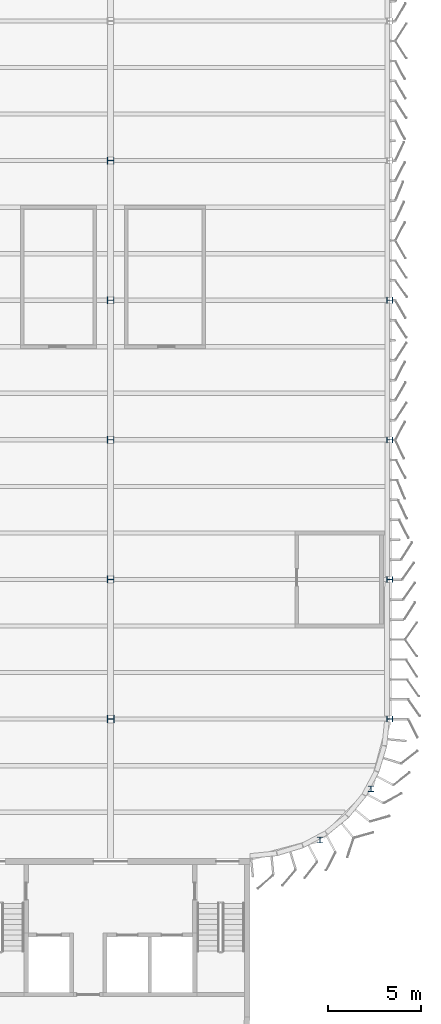
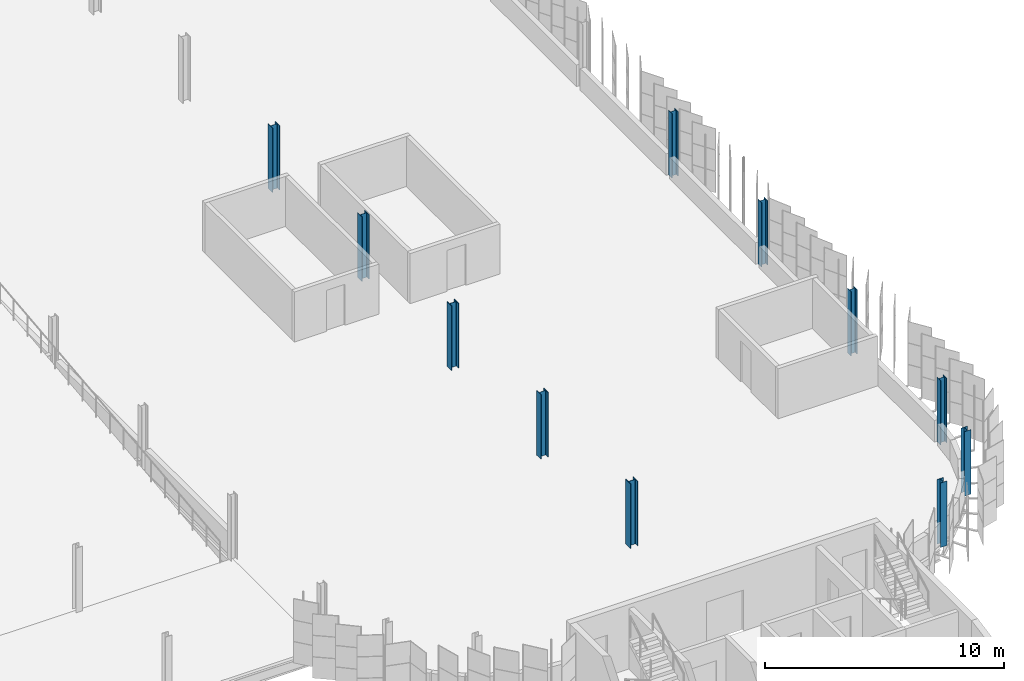
# One storey, part 17 of 199: 11 columns.
"""IFC4 building model written with IfcOpenShell, lengths in metres."""

from ifc_helpers import new_model, si_unit, direction, frame, origin, origin_2d, place, context, subcontext, project, spatial, i_section, extrude, material, material_profile, profile_set, type_object, element, save


model = new_model("IFC4")

# Units and contexts
model_context = context("Model", 3, precision=1e-05, world=origin(), true_north=direction((0.0, 1.0)))
body_context = subcontext(model_context, "Body", "Model", "MODEL_VIEW")
ifc_project = project(units=[si_unit("LENGTHUNIT", "METRE"), si_unit("AREAUNIT", "SQUARE_METRE"), si_unit("VOLUMEUNIT", "CUBIC_METRE"), si_unit("PLANEANGLEUNIT", "RADIAN"), si_unit("MASSUNIT", "GRAM", prefix="KILO")], contexts=[model_context])

# Site, building, storey
site_placement = place(None, origin())
site = spatial("IfcSite", under=ifc_project, at=site_placement, CompositionType="ELEMENT")
building_placement = place(site_placement, origin())
building = spatial("IfcBuilding", under=site, at=building_placement, Name="Parallax Yard Mobility Hub", CompositionType="ELEMENT")
storey_placement = place(building_placement, frame((0.0, 0.0, 9.89990234375)))
storey = spatial("IfcBuildingStorey", under=building, at=storey_placement, Name="L03", CompositionType="ELEMENT", Elevation=9.89990234375)

# Columns
ifc_material = material(Name="Steel ASTM A992", Category="steel")
ifc_material_profile_1 = material_profile(ifc_material, i_section(OverallWidth=0.306884765625, OverallDepth=0.318115234375, WebThickness=0.01318359375, FlangeThickness=0.0205078125, FilletRadius=0.01513671875, at=origin_2d()), Name="W310x129")
ifc_profile_set_1 = profile_set([ifc_material_profile_1], Name="Steel ASTM A992")
column_type_1 = type_object("IfcColumnType", Name="W310x129 column", PredefinedType="COLUMN", material=ifc_profile_set_1)
column_1_placement = place(storey_placement, frame((225.0, 30.0, 0.0), z_axis=(0.0, 0.0, 1.0), x_axis=(0.0, 1.0, 0.0)))
element("IfcColumn", 1, at=column_1_placement, inside=storey, type_object=column_type_1, Name="Column C3 level L03 at E/31 of ramped parking decks", PredefinedType="COLUMN", context=body_context, shape_type="SweptSolid", body=[
    extrude(i_section(OverallWidth=0.306884765625, OverallDepth=0.318115234375, WebThickness=0.01318359375, FlangeThickness=0.0205078125, FilletRadius=0.01513671875, at=origin_2d()), origin(), (0.0, 0.0, 1.0), 3.300048828125),
])
ifc_material_profile_2 = material_profile(ifc_material, i_section(OverallWidth=0.304931640625, OverallDepth=0.306884765625, WebThickness=0.010009765625, FlangeThickness=0.015380859375, FilletRadius=0.01513671875, at=origin_2d()), Name="W310x97")
ifc_profile_set_2 = profile_set([ifc_material_profile_2], Name="Steel ASTM A992")
column_type_2 = type_object("IfcColumnType", Name="W310x97 column", PredefinedType="COLUMN", material=ifc_profile_set_2)
for number, where, z_axis, x_axis, name in (
    (2, (225.0, 52.5, 0.0), (0.0, 0.0, 1.0), (0.0, 1.0, 0.0), "Column C1 level L03 at H/31 of ramped parking decks"),
    (3, (225.0, 45.0, 0.0), (0.0, 0.0, 1.0), (0.0, 1.0, 0.0), "Column C1 level L03 at G/31 of ramped parking decks"),
    (4, (225.0, 37.5, 0.0), (0.0, 0.0, 1.0), (0.0, 1.0, 0.0), "Column C1 level L03 at F/31 of ramped parking decks"),
    (5, (221.25, 23.5048828125, 0.0), (0.0, 0.0, 1.0), (1.0, 0.0, 0.0), "Column C1 level L03 at S-E1 of ramped parking decks"),
    (6, (223.9951171875, 26.25, 0.0), (0.0, 0.0, 1.0), (1.0, 0.0, 0.0), "Column C1 level L03 at S-E2 of ramped parking decks"),
):
    element("IfcColumn", number, at=place(storey_placement, frame(where, z_axis=z_axis, x_axis=x_axis)), inside=storey, type_object=column_type_2, Name=name, PredefinedType="COLUMN", context=body_context, shape_type="SweptSolid", body=[
        extrude(i_section(OverallWidth=0.304931640625, OverallDepth=0.306884765625, WebThickness=0.010009765625, FlangeThickness=0.015380859375, FilletRadius=0.01513671875, at=origin_2d()), origin(), (0.0, 0.0, 1.0), 3.300048828125),
    ])
ifc_material_profile_3 = material_profile(ifc_material, i_section(OverallWidth=0.373046875, OverallDepth=0.367919921875, WebThickness=0.014892578125, FlangeThickness=0.02392578125, FilletRadius=0.01513671875, at=origin_2d()), Name="W360x179")
ifc_profile_set_3 = profile_set([ifc_material_profile_3], Name="Steel ASTM A992")
column_type_3 = type_object("IfcColumnType", Name="W360x179 column", PredefinedType="COLUMN", material=ifc_profile_set_3)
for number, where, z_axis, x_axis, name in (
    (7, (210.0, 60.0, 0.0), (0.0, 0.0, 1.0), (0.0, 1.0, 0.0), "Column C7 level L03 at J/29 of ramped parking decks"),
    (8, (210.0, 52.5, 0.0), (0.0, 0.0, 1.0), (0.0, 1.0, 0.0), "Column C7 level L03 at H/29 of ramped parking decks"),
    (9, (210.0, 45.0, 0.0), (0.0, 0.0, 1.0), (0.0, 1.0, 0.0), "Column C7 level L03 at G/29 of ramped parking decks"),
    (10, (210.0, 37.5, 0.0), (0.0, 0.0, 1.0), (0.0, 1.0, 0.0), "Column C7 level L03 at F/29 of ramped parking decks"),
):
    element("IfcColumn", number, at=place(storey_placement, frame(where, z_axis=z_axis, x_axis=x_axis)), inside=storey, type_object=column_type_3, Name=name, PredefinedType="COLUMN", context=body_context, shape_type="SweptSolid", body=[
        extrude(i_section(OverallWidth=0.373046875, OverallDepth=0.367919921875, WebThickness=0.014892578125, FlangeThickness=0.02392578125, FilletRadius=0.01513671875, at=origin_2d()), origin(), (0.0, 0.0, 1.0), 3.300048828125),
    ])
ifc_material_profile_4 = material_profile(ifc_material, i_section(OverallWidth=0.39599609375, OverallDepth=0.381103515625, WebThickness=0.018798828125, FlangeThickness=0.0302734375, FilletRadius=0.015380859375, at=origin_2d()), Name="W360x237")
ifc_profile_set_4 = profile_set([ifc_material_profile_4], Name="Steel ASTM A992")
column_type_4 = type_object("IfcColumnType", Name="W360x237 column", PredefinedType="COLUMN", material=ifc_profile_set_4)
column_2_placement = place(storey_placement, frame((210.0, 30.0, 0.0), z_axis=(0.0, 0.0, 1.0), x_axis=(0.0, 1.0, 0.0)))
element("IfcColumn", 11, at=column_2_placement, inside=storey, type_object=column_type_4, Name="Column C10 level L03 at E/29 of ramped parking decks", PredefinedType="COLUMN", context=body_context, shape_type="SweptSolid", body=[
    extrude(i_section(OverallWidth=0.39599609375, OverallDepth=0.381103515625, WebThickness=0.018798828125, FlangeThickness=0.0302734375, FilletRadius=0.015380859375, at=origin_2d()), origin(), (0.0, 0.0, 1.0), 3.300048828125),
])

save(model, "model.ifc")
